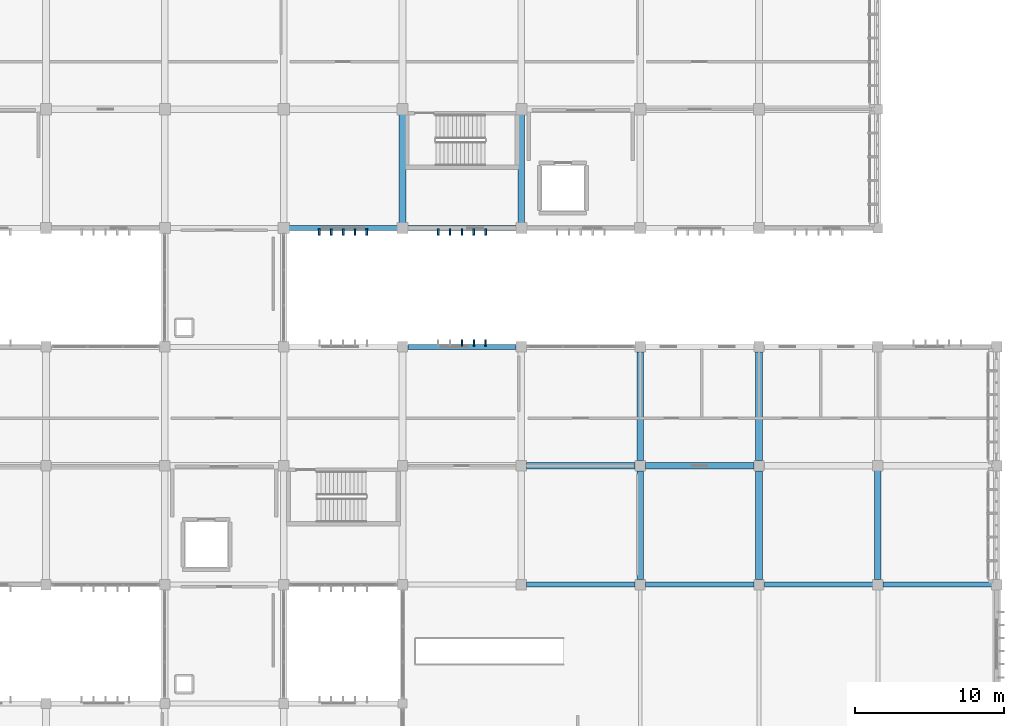
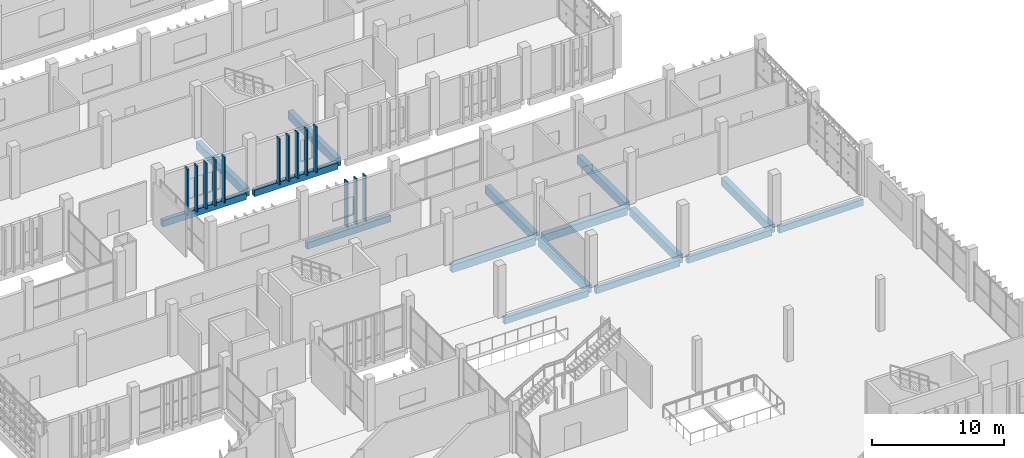
# One storey, part 56 of 106: 16 beams, 13 members.
"""IFC4 building model written with IfcOpenShell, lengths in metres."""

from ifc_helpers import new_model, si_unit, direction, frame, origin, origin_2d, place, context, subcontext, project, spatial, rectangle, extrude, material, material_profile, profile_set, type_object, element, save


model = new_model("IFC4")

# Units and contexts
model_context = context("Model", 3, precision=1e-05, world=origin(), true_north=direction((0.0, 1.0)))
body_context = subcontext(model_context, "Body", "Model", "MODEL_VIEW")
ifc_project = project(units=[si_unit("LENGTHUNIT", "METRE"), si_unit("AREAUNIT", "SQUARE_METRE"), si_unit("VOLUMEUNIT", "CUBIC_METRE"), si_unit("PLANEANGLEUNIT", "RADIAN"), si_unit("MASSUNIT", "GRAM", prefix="KILO")], contexts=[model_context])

# Site, building, storey
site_placement = place(None, origin())
site = spatial("IfcSite", under=ifc_project, at=site_placement, CompositionType="ELEMENT")
building_placement = place(site_placement, origin())
building = spatial("IfcBuilding", under=site, at=building_placement, Name="Jelvoka-Kovrelna Polytechnic", CompositionType="ELEMENT")
storey_placement = place(building_placement, frame((0.0, 0.0, 4.800048828125)))
storey = spatial("IfcBuildingStorey", under=building, at=storey_placement, Name="L02", CompositionType="ELEMENT", Elevation=4.800048828125)

# Beams
ifc_material_1 = material(Name="Concrete C40/50", Category="concrete")
ifc_material_profile_1 = material_profile(ifc_material_1, rectangle(XDim=0.449951171875, YDim=0.699951171875, at=origin_2d()), Name="RC 450x700")
ifc_profile_set_1 = profile_set([ifc_material_profile_1], Name="Concrete C40/50")
beam_type_1 = type_object("IfcBeamType", Name="Beam_RC_450x700", PredefinedType="BEAM", material=ifc_profile_set_1)
for number, where, z_axis, x_axis, name in (
    (1, (168.35498046875, 40.0, -0.614990234375), (1.0, 0.0, 0.0), (0.0, 1.0, 0.0), "L02 beam 0722"),
    (2, (176.35498046875, 40.0, -0.614990234375), (1.0, 0.0, 0.0), (0.0, 1.0, 0.0), "L02 beam 0723"),
):
    element("IfcBeam", number, at=place(storey_placement, frame(where, z_axis=z_axis, x_axis=x_axis)), inside=storey, type_object=beam_type_1, Name=name, PredefinedType="BEAM", context=body_context, shape_type="SweptSolid", body=[
        extrude(rectangle(XDim=0.449951171875, YDim=0.699951171875, at=origin_2d()), origin(), (0.0, 0.0, 1.0), 7.2900390625),
    ])
ifc_material_2 = material(Name="Concrete C40/50", Category="concrete")
ifc_material_profile_2 = material_profile(ifc_material_2, rectangle(XDim=0.449951171875, YDim=0.75, at=origin_2d()), Name="RC 450x750")
ifc_profile_set_2 = profile_set([ifc_material_profile_2], Name="Concrete C40/50")
beam_type_2 = type_object("IfcBeamType", Name="Beam_RC_450x750", PredefinedType="BEAM", material=ifc_profile_set_2)
for number, where, z_axis, x_axis, name in (
    (3, (176.0, 32.35498046875, -0.64013671875), (0.0, 1.0, 0.0), (-1.0, 0.0, 0.0), "L02 beam 0747"),
    (4, (176.0, 40.35498046875, -0.64013671875), (0.0, 1.0, 0.0), (-1.0, 0.0, 0.0), "L02 beam 0748"),
    (5, (184.0, 32.35498046875, -0.64013671875), (0.0, 1.0, 0.0), (-1.0, 0.0, 0.0), "L02 beam 0749"),
    (6, (184.0, 40.35498046875, -0.64013671875), (0.0, 1.0, 0.0), (-1.0, 0.0, 0.0), "L02 beam 0750"),
):
    element("IfcBeam", number, at=place(storey_placement, frame(where, z_axis=z_axis, x_axis=x_axis)), inside=storey, type_object=beam_type_2, Name=name, PredefinedType="BEAM", context=body_context, shape_type="SweptSolid", body=[
        extrude(rectangle(XDim=0.449951171875, YDim=0.75, at=origin_2d()), origin(), (0.0, 0.0, 1.0), 7.2900390625),
    ])
beam_1_placement = place(storey_placement, frame((192.0, 32.330078125, -0.64013671875), z_axis=(0.0, 1.0, 0.0), x_axis=(-1.0, 0.0, 0.0)))
element("IfcBeam", 7, at=beam_1_placement, inside=storey, type_object=beam_type_2, Name="L02 beam 0751", PredefinedType="BEAM", context=body_context, shape_type="SweptSolid", body=[
    extrude(rectangle(XDim=0.449951171875, YDim=0.75, at=origin_2d()), origin(), (0.0, 0.0, 1.0), 7.33984375),
])
for number, where, z_axis, x_axis, name in (
    (8, (160.0, 56.35498046875, -0.64013671875), (0.0, 1.0, 0.0), (-1.0, 0.0, 0.0), "L02 beam 0829"),
    (9, (168.0, 56.35498046875, -0.64013671875), (0.0, 1.0, 0.0), (-1.0, 0.0, 0.0), "L02 beam 0831"),
):
    element("IfcBeam", number, at=place(storey_placement, frame(where, z_axis=z_axis, x_axis=x_axis)), inside=storey, type_object=beam_type_2, Name=name, PredefinedType="BEAM", context=body_context, shape_type="SweptSolid", body=[
        extrude(rectangle(XDim=0.449951171875, YDim=0.75, at=origin_2d()), origin(), (0.0, 0.0, 1.0), 7.2900390625),
    ])

# Members
ifc_material_3 = material(Name="Precast concrete C40/50", Category="concrete")
ifc_material_profile_3 = material_profile(ifc_material_3, rectangle(XDim=0.10009765625, YDim=0.449951171875, at=origin_2d()), Name="PC 100x450")
ifc_profile_set_3 = profile_set([ifc_material_profile_3], Name="Precast concrete C40/50")
member_type_1 = type_object("IfcMemberType", Name="Louvre_Fin_100x450", PredefinedType="USERDEFINED", material=ifc_profile_set_3)
for number, where, z_axis, x_axis, name in (
    (10, (164.0, 48.264892578125, -0.27001953125), (0.0, 0.0, 1.0), (1.0, 0.0, 0.0), "L02 B2E north vertical solar louvre fin 0928"),
    (11, (164.800048828125, 48.264892578125, -0.27001953125), (0.0, 0.0, 1.0), (1.0, 0.0, 0.0), "L02 B2E north vertical solar louvre fin 0929"),
    (12, (165.60009765625, 48.264892578125, -0.27001953125), (0.0, 0.0, 1.0), (1.0, 0.0, 0.0), "L02 B2E north vertical solar louvre fin 0930"),
):
    element("IfcMember", number, at=place(storey_placement, frame(where, z_axis=z_axis, x_axis=x_axis)), inside=storey, type_object=member_type_1, Name=name, ObjectType="SUNSHADE", PredefinedType="USERDEFINED", context=body_context, shape_type="SweptSolid", body=[
        extrude(rectangle(XDim=0.10009765625, YDim=0.449951171875, at=origin_2d()), origin(), (0.0, 0.0, 1.0), 4.22998046875),
    ])
ifc_material_4 = material(Name="Precast concrete C40/50", Category="concrete")
ifc_material_profile_4 = material_profile(ifc_material_4, rectangle(XDim=0.1201171875, YDim=0.449951171875, at=origin_2d()), Name="PC 120x450")
ifc_profile_set_4 = profile_set([ifc_material_profile_4], Name="Precast concrete C40/50")
member_type_2 = type_object("IfcMemberType", Name="Louvre_Fin_120x450", PredefinedType="USERDEFINED", material=ifc_profile_set_4)
for number, where, z_axis, x_axis, name in (
    (13, (154.39990234375, 55.735107421875, -0.27001953125), (0.0, 0.0, 1.0), (1.0, 0.0, 0.0), "L02 B3 south vertical solar louvre fin 1411"),
    (14, (155.199951171875, 55.735107421875, -0.27001953125), (0.0, 0.0, 1.0), (1.0, 0.0, 0.0), "L02 B3 south vertical solar louvre fin 1412"),
    (15, (156.0, 55.735107421875, -0.27001953125), (0.0, 0.0, 1.0), (1.0, 0.0, 0.0), "L02 B3 south vertical solar louvre fin 1413"),
    (16, (156.800048828125, 55.735107421875, -0.27001953125), (0.0, 0.0, 1.0), (1.0, 0.0, 0.0), "L02 B3 south vertical solar louvre fin 1414"),
    (17, (157.60009765625, 55.735107421875, -0.27001953125), (0.0, 0.0, 1.0), (1.0, 0.0, 0.0), "L02 B3 south vertical solar louvre fin 1415"),
    (18, (162.39990234375, 55.735107421875, -0.27001953125), (0.0, 0.0, 1.0), (1.0, 0.0, 0.0), "L02 B3 south vertical solar louvre fin 1421"),
    (19, (163.199951171875, 55.735107421875, -0.27001953125), (0.0, 0.0, 1.0), (1.0, 0.0, 0.0), "L02 B3 south vertical solar louvre fin 1422"),
    (20, (164.0, 55.735107421875, -0.27001953125), (0.0, 0.0, 1.0), (1.0, 0.0, 0.0), "L02 B3 south vertical solar louvre fin 1423"),
    (21, (164.800048828125, 55.735107421875, -0.27001953125), (0.0, 0.0, 1.0), (1.0, 0.0, 0.0), "L02 B3 south vertical solar louvre fin 1424"),
    (22, (165.60009765625, 55.735107421875, -0.27001953125), (0.0, 0.0, 1.0), (1.0, 0.0, 0.0), "L02 B3 south vertical solar louvre fin 1425"),
):
    element("IfcMember", number, at=place(storey_placement, frame(where, z_axis=z_axis, x_axis=x_axis)), inside=storey, type_object=member_type_2, Name=name, ObjectType="SUNSHADE", PredefinedType="USERDEFINED", context=body_context, shape_type="SweptSolid", body=[
        extrude(rectangle(XDim=0.1201171875, YDim=0.449951171875, at=origin_2d()), origin(), (0.0, 0.0, 1.0), 4.22998046875),
    ])

# Beams
ifc_material_5 = material(Name="Concrete C40/50", Category="concrete")
ifc_material_profile_5 = material_profile(ifc_material_5, rectangle(XDim=0.35009765625, YDim=0.60009765625, at=origin_2d()), Name="RC 350x600")
ifc_profile_set_5 = profile_set([ifc_material_profile_5], Name="Concrete C40/50")
beam_type_3 = type_object("IfcBeamType", Name="Spandrel_RC_350x600", PredefinedType="SPANDREL", material=ifc_profile_set_5)
for number, where, z_axis, x_axis, name in (
    (23, (168.35498046875, 32.0, -0.5849609375), (1.0, 0.0, 0.0), (0.0, 1.0, 0.0), "L02 beam 0185"),
    (24, (176.35498046875, 32.0, -0.5849609375), (1.0, 0.0, 0.0), (0.0, 1.0, 0.0), "L02 beam 0188"),
):
    element("IfcBeam", number, at=place(storey_placement, frame(where, z_axis=z_axis, x_axis=x_axis)), inside=storey, type_object=beam_type_3, Name=name, PredefinedType="SPANDREL", context=body_context, shape_type="SweptSolid", body=[
        extrude(rectangle(XDim=0.35009765625, YDim=0.60009765625, at=origin_2d()), origin(), (0.0, 0.0, 1.0), 7.2900390625),
    ])
beam_2_placement = place(storey_placement, frame((184.35498046875, 32.0, -0.5849609375), z_axis=(1.0, 0.0, 0.0), x_axis=(0.0, 1.0, 0.0)))
element("IfcBeam", 25, at=beam_2_placement, inside=storey, type_object=beam_type_3, Name="L02 beam 0191", PredefinedType="SPANDREL", context=body_context, shape_type="SweptSolid", body=[
    extrude(rectangle(XDim=0.35009765625, YDim=0.60009765625, at=origin_2d()), origin(), (0.0, 0.0, 1.0), 7.31494140625),
])
beam_3_placement = place(storey_placement, frame((192.330078125, 32.0, -0.5849609375), z_axis=(1.0, 0.0, 0.0), x_axis=(0.0, 1.0, 0.0)))
element("IfcBeam", 26, at=beam_3_placement, inside=storey, type_object=beam_type_3, Name="L02 beam 0194", PredefinedType="SPANDREL", context=body_context, shape_type="SweptSolid", body=[
    extrude(rectangle(XDim=0.35009765625, YDim=0.60009765625, at=origin_2d()), origin(), (0.0, 0.0, 1.0), 7.33984375),
])
for number, where, z_axis, x_axis, name in (
    (27, (160.35498046875, 48.0, -0.56494140625), (1.0, 0.0, 0.0), (0.0, 1.0, 0.0), "L02 beam 0730"),
    (28, (152.35498046875, 56.0, -0.56494140625), (1.0, 0.0, 0.0), (0.0, 1.0, 0.0), "L02 beam 0796"),
    (29, (160.35498046875, 56.0, -0.56494140625), (1.0, 0.0, 0.0), (0.0, 1.0, 0.0), "L02 beam 0797"),
):
    element("IfcBeam", number, at=place(storey_placement, frame(where, z_axis=z_axis, x_axis=x_axis)), inside=storey, type_object=beam_type_3, Name=name, PredefinedType="SPANDREL", context=body_context, shape_type="SweptSolid", body=[
        extrude(rectangle(XDim=0.35009765625, YDim=0.60009765625, at=origin_2d()), origin(), (0.0, 0.0, 1.0), 7.2900390625),
    ])

save(model, "model.ifc")
